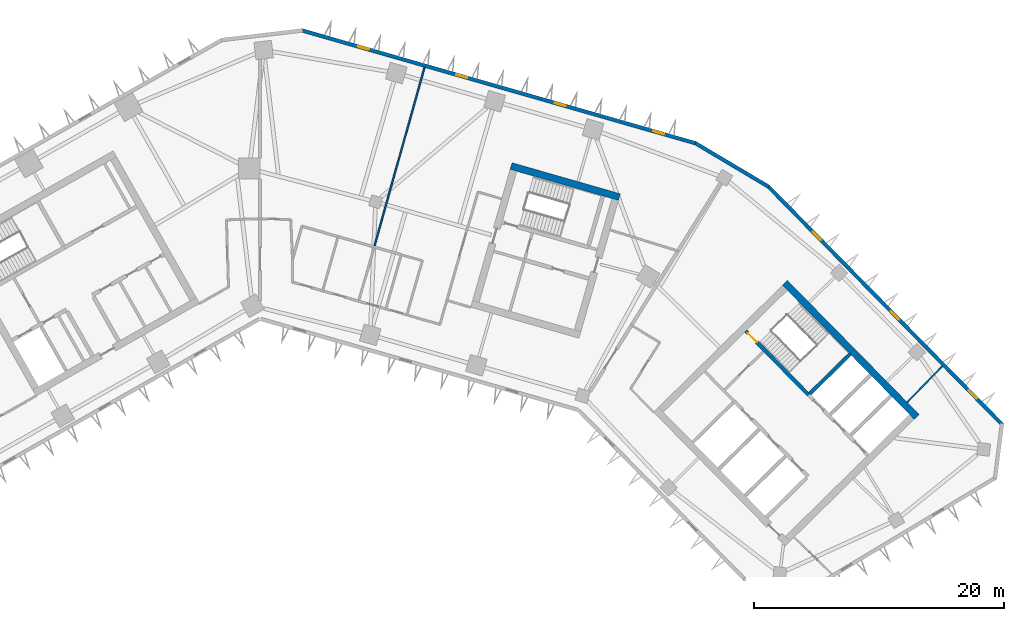
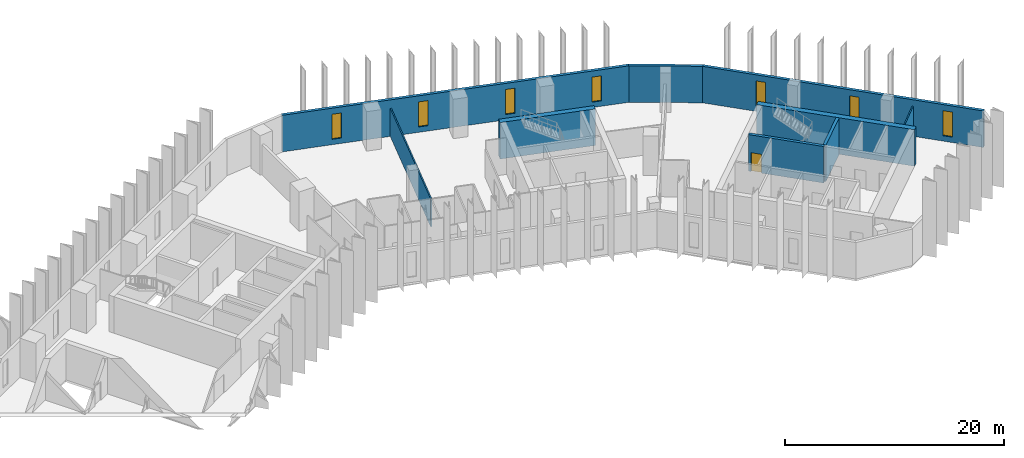
# One storey, part 7 of 11: 9 walls, 7 windows, 1 door, 8 openings.
"""IFC4 building model written with IfcOpenShell, lengths in metres."""

from ifc_helpers import new_model, si_unit, direction, frame, frame_2d, origin, place, context, subcontext, project, spatial, rectangle, extrude, material, layer, layer_set, type_object, element, fill, save


model = new_model("IFC4")

# Units and contexts
model_context = context("Model", 3, precision=1e-05, world=origin(), true_north=direction((0.0, 1.0)))
body_context = subcontext(model_context, "Body", "Model", "MODEL_VIEW")
ifc_project = project(units=[si_unit("LENGTHUNIT", "METRE"), si_unit("AREAUNIT", "SQUARE_METRE"), si_unit("VOLUMEUNIT", "CUBIC_METRE"), si_unit("PLANEANGLEUNIT", "RADIAN"), si_unit("MASSUNIT", "GRAM", prefix="KILO")], contexts=[model_context])

# Site, building, storey
site_placement = place(None, origin())
site = spatial("IfcSite", under=ifc_project, at=site_placement, CompositionType="ELEMENT")
building_placement = place(site_placement, origin())
building = spatial("IfcBuilding", under=site, at=building_placement, Name="Binnacle Exchange Tower", CompositionType="ELEMENT")
storey_placement = place(building_placement, frame((0.0, 0.0, 141.10009765625)))
storey = spatial("IfcBuildingStorey", under=building, at=storey_placement, Name="L29", CompositionType="ELEMENT", Elevation=141.10009765625)

# Walls
ifc_material_1 = material(Name="Concrete C70/85", Category="concrete")
ifc_layer_1 = layer(ifc_material_1, 0.550048828125)
ifc_layer_set_1 = layer_set([ifc_layer_1], Name="Core wall - outer 550")
wall_type_1 = type_object("IfcWallType", Name="Core wall - outer 550", PredefinedType="SOLIDWALL", material=ifc_layer_set_1)
wall_1_placement = place(storey_placement, frame((41.934326171875, 50.873291015625, 0.0), z_axis=(0.0, 0.0, 1.0), x_axis=(0.700911255944, -0.713248491965, 0.0)))
element("IfcWall", 1, at=wall_1_placement, inside=storey, type_object=wall_type_1, Name="Core wall CRWB6", PredefinedType="SOLIDWALL", context=body_context, shape_type="SweptSolid", body=[
    extrude(rectangle(XDim=15.0, YDim=0.550048828125, at=frame_2d((7.5, 0.0))), origin(), (0.0, 0.0, 1.0), 4.079833984375),
])
wall_2_placement = place(storey_placement, frame((20.059814453125, 60.20361328125, 0.0), z_axis=(0.0, 0.0, 1.0), x_axis=(0.96126248289, -0.275634611374, 0.0)))
element("IfcWall", 2, at=wall_2_placement, inside=storey, type_object=wall_type_1, Name="Core wall CRWD6", PredefinedType="SOLIDWALL", context=body_context, shape_type="SweptSolid", body=[
    extrude(rectangle(XDim=9.0, YDim=0.550048828125, at=frame_2d((4.5, 0.0))), origin(), (0.0, 0.0, 1.0), 4.079833984375),
])

# Wall, opening, door
ifc_layer_2 = layer(ifc_material_1, 0.300048828125)
ifc_layer_set_2 = layer_set([ifc_layer_2], Name="Core wall - stair 300")
wall_type_2 = type_object("IfcWallType", Name="Core wall - stair 300", PredefinedType="SOLIDWALL", material=ifc_layer_set_2)
wall_3_placement = place(storey_placement, frame((38.806884765625, 47.029052734375, 0.0), z_axis=(0.0, 0.0, 1.0), x_axis=(0.700916852778, -0.713242991898, 0.0)))
wall_3 = element("IfcWall", 3, at=wall_3_placement, inside=storey, type_object=wall_type_2, Name="Core wall CRWB4", PredefinedType="SOLIDWALL", context=body_context, shape_type="SweptSolid", body=[
    extrude(rectangle(XDim=7.150146484375, YDim=0.300048828125, at=frame_2d((3.5751953125, 0.0))), origin(), (0.0, 0.0, 1.0), 4.079833984375),
])
opening_1_placement = place(wall_3_placement, frame((0.25, 0.0, 0.0)))
opening_1 = element("IfcOpeningElement", 4, at=opening_1_placement, cuts=wall_3, Name="Opening DB1", PredefinedType="OPENING", context=body_context, shape_type="SweptSolid", body=[
    extrude(rectangle(XDim=1.0, YDim=2.10009765625, at=frame_2d((0.5, 1.050048828125))), frame((0.0, 0.159912109375, 0.0), z_axis=(0.0, -1.0, 0.0), x_axis=(1.0, 0.0, 0.0)), (0.0, 0.0, 1.0), 0.320068359375),
])
ifc_material_2 = material(Name="Steel door leaf", Category="steel")
door_type = type_object("IfcDoorType", Name="Fire door 1000", OperationType="NOTDEFINED", PredefinedType="DOOR", material=ifc_material_2)
door_placement = place(opening_1_placement, origin())
door = element("IfcDoor", 5, at=door_placement, inside=storey, type_object=door_type, Name="Stair door ST-B1", OperationType="SINGLE_SWING_LEFT", OverallHeight=2.10009765625, OverallWidth=1.0, PredefinedType="DOOR", context=body_context, shape_type="SweptSolid", body=[
    extrude(rectangle(XDim=1.0, YDim=2.10009765625, at=frame_2d((0.5, 1.050048828125))), frame((0.0, 0.02490234375, 0.0), z_axis=(0.0, -1.0, 0.0), x_axis=(1.0, 0.0, 0.0)), (0.0, 0.0, 1.0), 0.050048828125),
])
fill(opening_1, door)

# Walls
wall_4_placement = place(storey_placement, frame((43.925537109375, 42.034423828125, 0.0), z_axis=(0.0, 0.0, 1.0), x_axis=(0.713210801054, 0.700949608217, 0.0)))
element("IfcWall", 6, at=wall_4_placement, inside=storey, type_object=wall_type_2, Name="Core wall CRWB11", PredefinedType="SOLIDWALL", context=body_context, shape_type="SweptSolid", body=[
    extrude(rectangle(XDim=4.5, YDim=0.300048828125, at=frame_2d((2.25, 0.0))), origin(), (0.0, 0.0, 1.0), 4.079833984375),
])
ifc_material_3 = material(Name="Bronze aluminium cladding", Category="aluminium")
ifc_layer_3 = layer(ifc_material_3, 0.300048828125)
ifc_layer_set_3 = layer_set([ifc_layer_3], Name="External wall - spandrel 300")
wall_type_3 = type_object("IfcWallType", Name="External wall - spandrel 300", PredefinedType="STANDARD", material=ifc_layer_set_3)
wall_5_placement = place(storey_placement, frame((34.773193359375, 62.0341796875, 0.0), z_axis=(0.0, 0.0, 1.0), x_axis=(0.859401317772, -0.511301647769, 0.0)))
element("IfcWall", 7, at=wall_5_placement, inside=storey, type_object=wall_type_3, Name="External wall EW-F00 L29", PredefinedType="STANDARD", context=body_context, shape_type="SweptSolid", body=[
    extrude(rectangle(XDim=6.80810546875, YDim=0.300048828125, at=frame_2d((3.404052734375, 0.0))), origin(), (0.0, 0.0, 1.0), 4.079833984375),
])

# Wall, openings, windows
wall_6_placement = place(storey_placement, frame((3.33544921875, 71.043701171875, 0.0), z_axis=(0.0, 0.0, 1.0), x_axis=(0.961260130989, -0.275642813387, 0.0)))
wall_6 = element("IfcWall", 8, at=wall_6_placement, inside=storey, type_object=wall_type_3, Name="External wall EW-F01 L29", PredefinedType="STANDARD", context=body_context, shape_type="SweptSolid", body=[
    extrude(rectangle(XDim=32.7412109375, YDim=0.300048828125, at=frame_2d((16.37060546875, 0.0))), origin(), (0.0, 0.0, 1.0), 4.079833984375),
])
opening_2_placement = place(wall_6_placement, frame((29.20703125, 0.0, 0.60009765625)))
opening_2 = element("IfcOpeningElement", 9, at=opening_2_placement, cuts=wall_6, Name="Opening WS2", PredefinedType="OPENING", context=body_context, shape_type="SweptSolid", body=[
    extrude(rectangle(XDim=0.89990234375, YDim=2.800048828125, at=frame_2d((0.449951171875, 1.39990234375))), frame((0.0, 0.159912109375, 0.0), z_axis=(0.0, -1.0, 0.0), x_axis=(1.0, 0.0, 0.0)), (0.0, 0.0, 1.0), 0.320068359375),
])
opening_3_placement = place(wall_6_placement, frame((21.0341796875, 0.0, 0.60009765625)))
opening_3 = element("IfcOpeningElement", 10, at=opening_3_placement, cuts=wall_6, Name="Opening WS2", PredefinedType="OPENING", context=body_context, shape_type="SweptSolid", body=[
    extrude(rectangle(XDim=0.89990234375, YDim=2.800048828125, at=frame_2d((0.449951171875, 1.39990234375))), frame((0.0, 0.159912109375, 0.0), z_axis=(0.0, -1.0, 0.0), x_axis=(1.0, 0.0, 0.0)), (0.0, 0.0, 1.0), 0.320068359375),
])
opening_4_placement = place(wall_6_placement, frame((12.861083984375, 0.0, 0.60009765625)))
opening_4 = element("IfcOpeningElement", 11, at=opening_4_placement, cuts=wall_6, Name="Opening WS2", PredefinedType="OPENING", context=body_context, shape_type="SweptSolid", body=[
    extrude(rectangle(XDim=0.89990234375, YDim=2.800048828125, at=frame_2d((0.449951171875, 1.39990234375))), frame((0.0, 0.159912109375, 0.0), z_axis=(0.0, -1.0, 0.0), x_axis=(1.0, 0.0, 0.0)), (0.0, 0.0, 1.0), 0.320068359375),
])
opening_5_placement = place(wall_6_placement, frame((4.688232421875, 0.0, 0.60009765625)))
opening_5 = element("IfcOpeningElement", 12, at=opening_5_placement, cuts=wall_6, Name="Opening WS2", PredefinedType="OPENING", context=body_context, shape_type="SweptSolid", body=[
    extrude(rectangle(XDim=0.89990234375, YDim=2.800048828125, at=frame_2d((0.449951171875, 1.39990234375))), frame((0.0, 0.159912109375, 0.0), z_axis=(0.0, -1.0, 0.0), x_axis=(1.0, 0.0, 0.0)), (0.0, 0.0, 1.0), 0.320068359375),
])
ifc_material_4 = material(Name="Bronze anodised aluminium frame", Category="aluminium")
window_type = type_object("IfcWindowType", Name="WS2 WINDOW 900x2800", PartitioningType="SINGLE_PANEL", PredefinedType="WINDOW", material=ifc_material_4)
window_1_placement = place(opening_2_placement, origin())
window_1 = element("IfcWindow", 13, at=window_1_placement, inside=storey, type_object=window_type, Name="Window WS2 L29", OverallHeight=2.800048828125, OverallWidth=0.89990234375, PartitioningType="SINGLE_PANEL", PredefinedType="WINDOW", context=body_context, shape_type="SweptSolid", body=[
    extrude(rectangle(XDim=0.89990234375, YDim=2.800048828125, at=frame_2d((0.449951171875, 1.39990234375))), frame((0.0, 0.030029296875, 0.0), z_axis=(0.0, -1.0, 0.0), x_axis=(1.0, 0.0, 0.0)), (0.0, 0.0, 1.0), 0.06005859375),
])
fill(opening_2, window_1)
window_2_placement = place(opening_3_placement, origin())
window_2 = element("IfcWindow", 14, at=window_2_placement, inside=storey, type_object=window_type, Name="Window WS2 L29", OverallHeight=2.800048828125, OverallWidth=0.89990234375, PartitioningType="SINGLE_PANEL", PredefinedType="WINDOW", context=body_context, shape_type="SweptSolid", body=[
    extrude(rectangle(XDim=0.89990234375, YDim=2.800048828125, at=frame_2d((0.449951171875, 1.39990234375))), frame((0.0, 0.030029296875, 0.0), z_axis=(0.0, -1.0, 0.0), x_axis=(1.0, 0.0, 0.0)), (0.0, 0.0, 1.0), 0.06005859375),
])
fill(opening_3, window_2)
window_3_placement = place(opening_4_placement, origin())
window_3 = element("IfcWindow", 15, at=window_3_placement, inside=storey, type_object=window_type, Name="Window WS2 L29", OverallHeight=2.800048828125, OverallWidth=0.89990234375, PartitioningType="SINGLE_PANEL", PredefinedType="WINDOW", context=body_context, shape_type="SweptSolid", body=[
    extrude(rectangle(XDim=0.89990234375, YDim=2.800048828125, at=frame_2d((0.449951171875, 1.39990234375))), frame((0.0, 0.030029296875, 0.0), z_axis=(0.0, -1.0, 0.0), x_axis=(1.0, 0.0, 0.0)), (0.0, 0.0, 1.0), 0.06005859375),
])
fill(opening_4, window_3)
window_4_placement = place(opening_5_placement, origin())
window_4 = element("IfcWindow", 16, at=window_4_placement, inside=storey, type_object=window_type, Name="Window WS2 L29", OverallHeight=2.800048828125, OverallWidth=0.89990234375, PartitioningType="SINGLE_PANEL", PredefinedType="WINDOW", context=body_context, shape_type="SweptSolid", body=[
    extrude(rectangle(XDim=0.89990234375, YDim=2.800048828125, at=frame_2d((0.449951171875, 1.39990234375))), frame((0.0, 0.030029296875, 0.0), z_axis=(0.0, -1.0, 0.0), x_axis=(1.0, 0.0, 0.0)), (0.0, 0.0, 1.0), 0.06005859375),
])
fill(opening_5, window_4)

wall_7_placement = place(storey_placement, frame((40.59375, 58.576904296875, 0.0), z_axis=(0.0, 0.0, 1.0), x_axis=(0.700909719808, -0.713250001528, 0.0)))
wall_7 = element("IfcWall", 17, at=wall_7_placement, inside=storey, type_object=wall_type_3, Name="External wall EW-F13 L29", PredefinedType="STANDARD", context=body_context, shape_type="SweptSolid", body=[
    extrude(rectangle(XDim=26.70849609375, YDim=0.300048828125, at=frame_2d((13.354248046875, 0.0))), origin(), (0.0, 0.0, 1.0), 4.079833984375),
])
opening_6_placement = place(wall_7_placement, frame((22.8583984375, 0.0, 0.60009765625)))
opening_6 = element("IfcOpeningElement", 18, at=opening_6_placement, cuts=wall_7, Name="Opening WS2", PredefinedType="OPENING", context=body_context, shape_type="SweptSolid", body=[
    extrude(rectangle(XDim=0.89990234375, YDim=2.800048828125, at=frame_2d((0.449951171875, 1.39990234375))), frame((0.0, 0.159912109375, 0.0), z_axis=(0.0, -1.0, 0.0), x_axis=(1.0, 0.0, 0.0)), (0.0, 0.0, 1.0), 0.320068359375),
])
opening_7_placement = place(wall_7_placement, frame((13.986572265625, 0.0, 0.60009765625)))
opening_7 = element("IfcOpeningElement", 19, at=opening_7_placement, cuts=wall_7, Name="Opening WS2", PredefinedType="OPENING", context=body_context, shape_type="SweptSolid", body=[
    extrude(rectangle(XDim=0.89990234375, YDim=2.800048828125, at=frame_2d((0.449951171875, 1.39990234375))), frame((0.0, 0.159912109375, 0.0), z_axis=(0.0, -1.0, 0.0), x_axis=(1.0, 0.0, 0.0)), (0.0, 0.0, 1.0), 0.320068359375),
])
opening_8_placement = place(wall_7_placement, frame((5.114501953125, 0.0, 0.60009765625)))
opening_8 = element("IfcOpeningElement", 20, at=opening_8_placement, cuts=wall_7, Name="Opening WS2", PredefinedType="OPENING", context=body_context, shape_type="SweptSolid", body=[
    extrude(rectangle(XDim=0.89990234375, YDim=2.800048828125, at=frame_2d((0.449951171875, 1.39990234375))), frame((0.0, 0.159912109375, 0.0), z_axis=(0.0, -1.0, 0.0), x_axis=(1.0, 0.0, 0.0)), (0.0, 0.0, 1.0), 0.320068359375),
])
window_5_placement = place(opening_6_placement, origin())
window_5 = element("IfcWindow", 21, at=window_5_placement, inside=storey, type_object=window_type, Name="Window WS2 L29", OverallHeight=2.800048828125, OverallWidth=0.89990234375, PartitioningType="SINGLE_PANEL", PredefinedType="WINDOW", context=body_context, shape_type="SweptSolid", body=[
    extrude(rectangle(XDim=0.89990234375, YDim=2.800048828125, at=frame_2d((0.449951171875, 1.39990234375))), frame((0.0, 0.030029296875, 0.0), z_axis=(0.0, -1.0, 0.0), x_axis=(1.0, 0.0, 0.0)), (0.0, 0.0, 1.0), 0.06005859375),
])
fill(opening_6, window_5)
window_6_placement = place(opening_7_placement, origin())
window_6 = element("IfcWindow", 22, at=window_6_placement, inside=storey, type_object=window_type, Name="Window WS2 L29", OverallHeight=2.800048828125, OverallWidth=0.89990234375, PartitioningType="SINGLE_PANEL", PredefinedType="WINDOW", context=body_context, shape_type="SweptSolid", body=[
    extrude(rectangle(XDim=0.89990234375, YDim=2.800048828125, at=frame_2d((0.449951171875, 1.39990234375))), frame((0.0, 0.030029296875, 0.0), z_axis=(0.0, -1.0, 0.0), x_axis=(1.0, 0.0, 0.0)), (0.0, 0.0, 1.0), 0.06005859375),
])
fill(opening_7, window_6)
window_7_placement = place(opening_8_placement, origin())
window_7 = element("IfcWindow", 23, at=window_7_placement, inside=storey, type_object=window_type, Name="Window WS2 L29", OverallHeight=2.800048828125, OverallWidth=0.89990234375, PartitioningType="SINGLE_PANEL", PredefinedType="WINDOW", context=body_context, shape_type="SweptSolid", body=[
    extrude(rectangle(XDim=0.89990234375, YDim=2.800048828125, at=frame_2d((0.449951171875, 1.39990234375))), frame((0.0, 0.030029296875, 0.0), z_axis=(0.0, -1.0, 0.0), x_axis=(1.0, 0.0, 0.0)), (0.0, 0.0, 1.0), 0.06005859375),
])
fill(opening_8, window_7)

# Walls
ifc_material_5 = material(Name="Gypsum partition")
ifc_layer_4 = layer(ifc_material_5, 0.125)
ifc_layer_set_4 = layer_set([ifc_layer_4], Name="Partition 125")
wall_type_4 = type_object("IfcWallType", Name="Partition 125", PredefinedType="PARTITIONING", material=ifc_layer_set_4)
wall_8_placement = place(storey_placement, frame((9.12890625, 53.740966796875, 0.0), z_axis=(0.0, 0.0, 1.0), x_axis=(0.269791738843, 0.962918697322, 0.0)))
element("IfcWall", 24, at=wall_8_placement, inside=storey, type_object=wall_type_4, Name="Partition W23", PredefinedType="PARTITIONING", context=body_context, shape_type="SweptSolid", body=[
    extrude(rectangle(XDim=14.885986328125, YDim=0.125, at=frame_2d((7.44287109375, 0.0))), origin(), (0.0, 0.0, 1.0), 3.141845703125),
])
wall_9_placement = place(storey_placement, frame((51.68798828125, 41.340087890625, 0.0), z_axis=(0.0, 0.0, 1.0), x_axis=(0.698090794369, 0.716009247718, 0.0)))
element("IfcWall", 25, at=wall_9_placement, inside=storey, type_object=wall_type_4, Name="Partition W41", PredefinedType="PARTITIONING", context=body_context, shape_type="SweptSolid", body=[
    extrude(rectangle(XDim=4.019287109375, YDim=0.125, at=frame_2d((2.009765625, 0.0))), origin(), (0.0, 0.0, 1.0), 3.35986328125),
])

save(model, "model.ifc")
